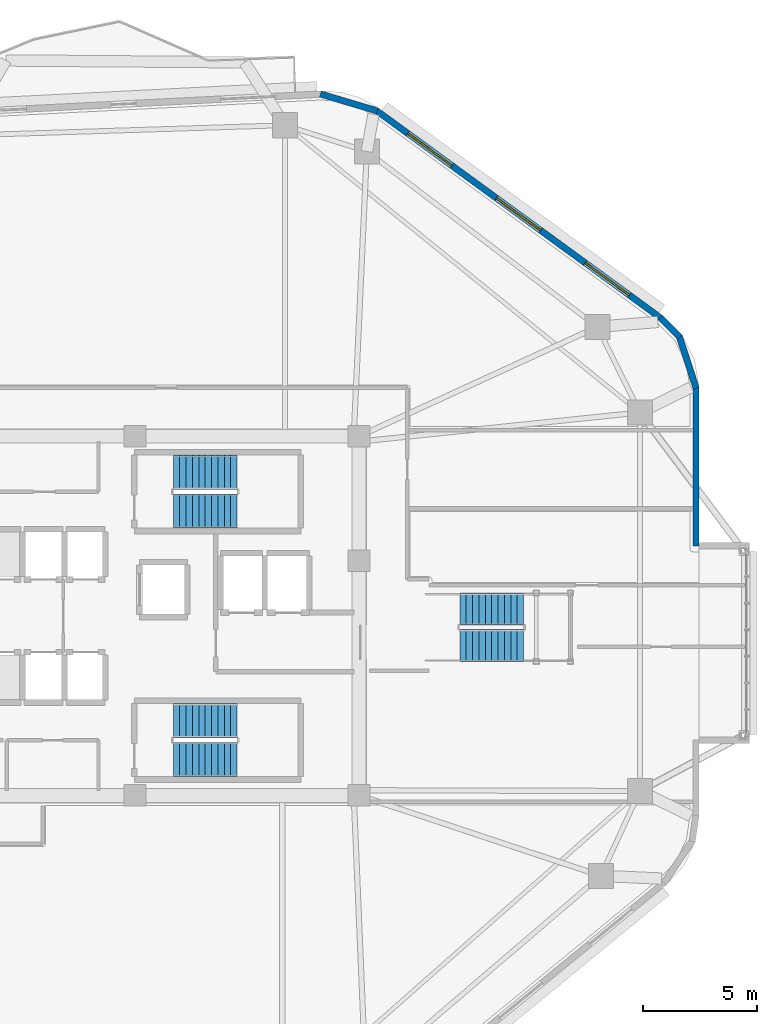
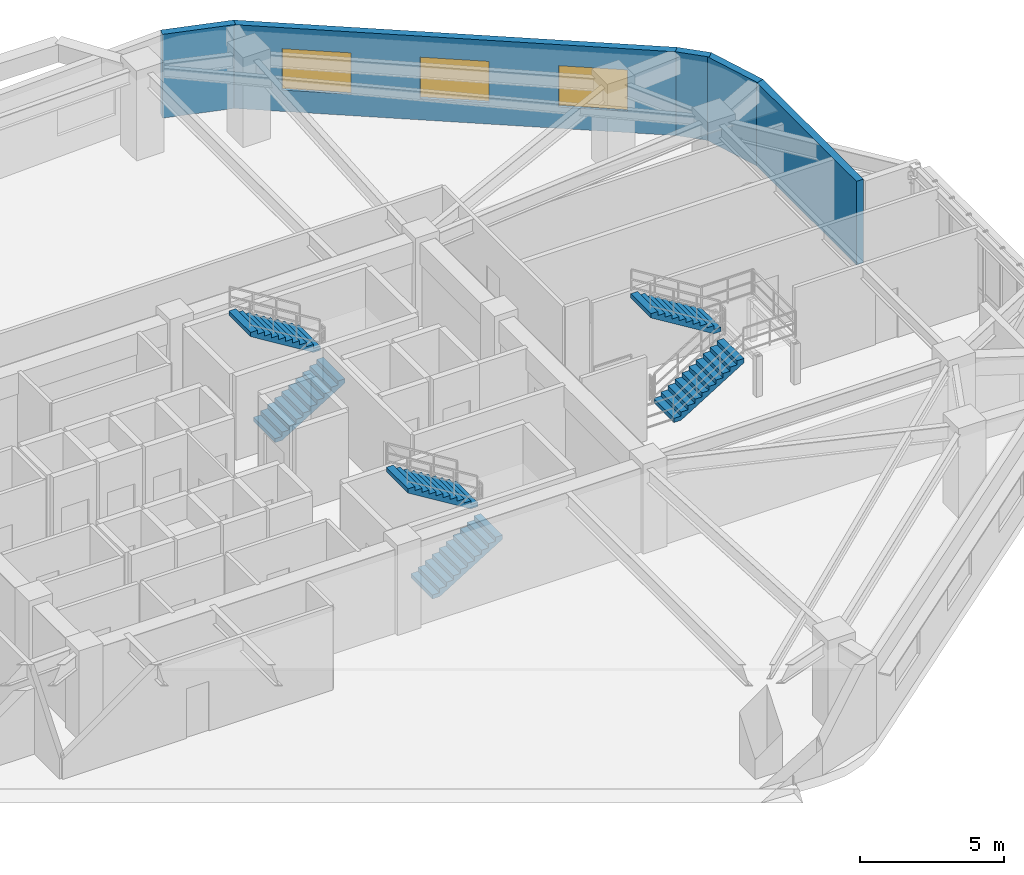
# One storey, part 12 of 16: 6 stair flights, 5 walls, 3 windows, 3 openings, 3 elements without a shape of their own.
"""IFC4 building model written with IfcOpenShell, lengths in metres."""

from ifc_helpers import new_model, si_unit, direction, frame, frame_2d, origin, place, context, subcontext, project, spatial, polyline, rectangle, outline, extrude, material, layer, layer_set, type_object, element, fill, aggregate, save


model = new_model("IFC4")

# Units and contexts
model_context = context("Model", 3, precision=1e-05, world=origin(), true_north=direction((0.0, 1.0)))
body_context = subcontext(model_context, "Body", "Model", "MODEL_VIEW")
ifc_project = project(units=[si_unit("LENGTHUNIT", "METRE"), si_unit("AREAUNIT", "SQUARE_METRE"), si_unit("VOLUMEUNIT", "CUBIC_METRE"), si_unit("PLANEANGLEUNIT", "RADIAN"), si_unit("MASSUNIT", "GRAM", prefix="KILO")], contexts=[model_context])

# Site, building, storey
site_placement = place(None, origin())
site = spatial("IfcSite", under=ifc_project, at=site_placement, CompositionType="ELEMENT")
building_placement = place(site_placement, origin())
building = spatial("IfcBuilding", under=site, at=building_placement, Name="Zulverin Broadcast Headquarters", CompositionType="ELEMENT")
storey_placement = place(building_placement, frame((0.0, 0.0, 125.0)))
storey = spatial("IfcBuildingStorey", under=building, at=storey_placement, Name="L31", CompositionType="ELEMENT", Elevation=125.0)

# Wall
ifc_material_1 = material(Name="Insulated pale-metal clad concrete spandrel C40/50", Category="concrete")
ifc_layer = layer(ifc_material_1, 0.280029296875, Name="Insulated pale-metal clad concrete spandrel C40/50", Category="concrete")
ifc_layer_set = layer_set([ifc_layer], Name="Insulated pale-metal clad concrete spandrel C40/50")
wall_type = type_object("IfcWallType", Name="WL-EXT-280", PredefinedType="STANDARD", material=ifc_layer_set)
wall_1_placement = place(storey_placement, frame((63.06005859375, 28.27001953125, 0.0), z_axis=(0.0, 0.0, 1.0), x_axis=(0.0, 1.0, 0.0)))
element("IfcWall", 1, at=wall_1_placement, inside=storey, type_object=wall_type, Name="L31 Pale-Metal Clad Flanking Spandrel Wall 3-2", PredefinedType="STANDARD", context=body_context, shape_type="SweptSolid", body=[
    extrude(rectangle(XDim=6.9599609375, YDim=0.280029296875, at=frame_2d((3.47998046875, 0.0))), origin(), (0.0, 0.0, 1.0), 3.5400390625),
])

# Wall, openings, windows
wall_2_placement = place(storey_placement, frame((61.516357421875, 38.26708984375, 0.0), z_axis=(0.0, 0.0, 1.0), x_axis=(-0.807812505785, 0.589439526582, 0.0)))
wall_2 = element("IfcWall", 2, at=wall_2_placement, inside=storey, type_object=wall_type, Name="L31 Pale-Metal Clad Spandrel Wall 4", PredefinedType="STANDARD", context=body_context, shape_type="SweptSolid", body=[
    extrude(rectangle(XDim=15.448486328125, YDim=0.280029296875, at=frame_2d((7.72412109375, 0.0))), origin(), (0.0, 0.0, 1.0), 3.5400390625),
])
opening_1_placement = place(wall_2_placement, frame((1.7080078125, 0.0, 0.89990234375)))
opening_1 = element("IfcOpeningElement", 3, at=opening_1_placement, cuts=wall_2, Name="Opening W-L31-E41", PredefinedType="OPENING", context=body_context, shape_type="SweptSolid", body=[
    extrude(rectangle(XDim=2.39990234375, YDim=1.75, at=frame_2d((1.199951171875, 0.875))), frame((0.0, 0.14990234375, 0.0), z_axis=(0.0, -1.0, 0.0), x_axis=(1.0, 0.0, 0.0)), (0.0, 0.0, 1.0), 0.300048828125),
])
opening_2_placement = place(wall_2_placement, frame((6.524169921875, 0.0, 0.89990234375)))
opening_2 = element("IfcOpeningElement", 4, at=opening_2_placement, cuts=wall_2, Name="Opening W-L31-E42", PredefinedType="OPENING", context=body_context, shape_type="SweptSolid", body=[
    extrude(rectangle(XDim=2.39990234375, YDim=1.75, at=frame_2d((1.199951171875, 0.875))), frame((0.0, 0.14990234375, 0.0), z_axis=(0.0, -1.0, 0.0), x_axis=(1.0, 0.0, 0.0)), (0.0, 0.0, 1.0), 0.300048828125),
])
opening_3_placement = place(wall_2_placement, frame((11.34033203125, 0.0, 0.89990234375)))
opening_3 = element("IfcOpeningElement", 5, at=opening_3_placement, cuts=wall_2, Name="Opening W-L31-E43", PredefinedType="OPENING", context=body_context, shape_type="SweptSolid", body=[
    extrude(rectangle(XDim=2.39990234375, YDim=1.75, at=frame_2d((1.199951171875, 0.875))), frame((0.0, 0.14990234375, 0.0), z_axis=(0.0, -1.0, 0.0), x_axis=(1.0, 0.0, 0.0)), (0.0, 0.0, 1.0), 0.300048828125),
])
ifc_material_2 = material(Name="Pale anodized aluminium frame with solar-control low-E double glazing", Category="aluminium")
window_type = type_object("IfcWindowType", Name="WIN-RIB-2400", PartitioningType="SINGLE_PANEL", PredefinedType="WINDOW", material=ifc_material_2)
window_1_placement = place(opening_1_placement, origin())
window_1 = element("IfcWindow", 6, at=window_1_placement, inside=storey, type_object=window_type, Name="L31 Ribbon Glazing Window 4 1", OverallHeight=1.75, OverallWidth=2.39990234375, PartitioningType="SINGLE_PANEL", PredefinedType="WINDOW", context=body_context, shape_type="SweptSolid", body=[
    extrude(rectangle(XDim=2.39990234375, YDim=1.75, at=frame_2d((1.199951171875, 0.875))), frame((0.0, 0.030029296875, 0.0), z_axis=(0.0, -1.0, 0.0), x_axis=(1.0, 0.0, 0.0)), (0.0, 0.0, 1.0), 0.06005859375),
])
fill(opening_1, window_1)
window_2_placement = place(opening_2_placement, origin())
window_2 = element("IfcWindow", 7, at=window_2_placement, inside=storey, type_object=window_type, Name="L31 Ribbon Glazing Window 4 2", OverallHeight=1.75, OverallWidth=2.39990234375, PartitioningType="SINGLE_PANEL", PredefinedType="WINDOW", context=body_context, shape_type="SweptSolid", body=[
    extrude(rectangle(XDim=2.39990234375, YDim=1.75, at=frame_2d((1.199951171875, 0.875))), frame((0.0, 0.030029296875, 0.0), z_axis=(0.0, -1.0, 0.0), x_axis=(1.0, 0.0, 0.0)), (0.0, 0.0, 1.0), 0.06005859375),
])
fill(opening_2, window_2)
window_3_placement = place(opening_3_placement, origin())
window_3 = element("IfcWindow", 8, at=window_3_placement, inside=storey, type_object=window_type, Name="L31 Ribbon Glazing Window 4 3", OverallHeight=1.75, OverallWidth=2.39990234375, PartitioningType="SINGLE_PANEL", PredefinedType="WINDOW", context=body_context, shape_type="SweptSolid", body=[
    extrude(rectangle(XDim=2.39990234375, YDim=1.75, at=frame_2d((1.199951171875, 0.875))), frame((0.0, 0.030029296875, 0.0), z_axis=(0.0, -1.0, 0.0), x_axis=(1.0, 0.0, 0.0)), (0.0, 0.0, 1.0), 0.06005859375),
])
fill(opening_3, window_3)

# Walls
wall_3_placement = place(storey_placement, frame((63.06689453125, 35.186767578125, 0.0), z_axis=(0.0, 0.0, 1.0), x_axis=(-0.308390504294, 0.951259847182, 0.0)))
element("IfcWall", 9, at=wall_3_placement, inside=storey, type_object=wall_type, Name="L31 Wind-Shaped Corner Spandrel Wall 3-1", PredefinedType="STANDARD", context=body_context, shape_type="SweptSolid", body=[
    extrude(rectangle(XDim=2.405029296875, YDim=0.280029296875, at=frame_2d((1.20263671875, 0.0))), origin(), (0.0, 0.0, 1.0), 3.5400390625),
])
wall_4_placement = place(storey_placement, frame((62.359130859375, 37.419189453125, 0.0), z_axis=(0.0, 0.0, 1.0), x_axis=(-0.706003104649, 0.708208737751, 0.0)))
element("IfcWall", 10, at=wall_4_placement, inside=storey, type_object=wall_type, Name="L31 Wind-Shaped Corner Spandrel Wall 3-2", PredefinedType="STANDARD", context=body_context, shape_type="SweptSolid", body=[
    extrude(rectangle(XDim=1.217529296875, YDim=0.280029296875, at=frame_2d((0.60888671875, 0.0))), origin(), (0.0, 0.0, 1.0), 3.5400390625),
])
wall_5_placement = place(storey_placement, frame((49.079345703125, 47.35205078125, 0.0), z_axis=(0.0, 0.0, 1.0), x_axis=(-0.958207501709, 0.286074087726, 0.0)))
element("IfcWall", 11, at=wall_5_placement, inside=storey, type_object=wall_type, Name="L31 Wind-Shaped Corner Spandrel Wall 4-1", PredefinedType="STANDARD", context=body_context, shape_type="SweptSolid", body=[
    extrude(rectangle(XDim=2.60302734375, YDim=0.280029296875, at=frame_2d((1.301513671875, 0.0))), origin(), (0.0, 0.0, 1.0), 3.5400390625),
])

# Stair, stair flights
ifc_material_3 = material(Name="Concrete C40/50", Category="concrete")
stair_type_1 = type_object("IfcStairType", Name="ST-CORE-1500", PredefinedType="HALF_TURN_STAIR", material=ifc_material_3)
stair_1_placement = place(storey_placement, origin())
stair_1 = element("IfcStair", 12, at=stair_1_placement, inside=storey, type_object=stair_type_1, Name="L31 Core Exit Stair ST-1", PredefinedType="HALF_TURN_STAIR")
stair_flight_type_1 = type_object("IfcStairFlightType", Name="SF-CORE-1500", PredefinedType="STRAIGHT", material=ifc_material_3)
stair_flight_1_placement = place(storey_placement, frame((40.1298828125, 29.800048828125, 0.0), z_axis=(0.0, 0.0, 1.0), x_axis=(1.0, 0.0, 0.0)))
stair_flight_1 = element("IfcStairFlight", 13, at=stair_flight_1_placement, type_object=stair_flight_type_1, Name="ST-1 flight 1", NumberOfRisers=11, NumberOfTreads=10, PredefinedType="STRAIGHT", RiserHeight=0.172727273, TreadLength=0.28, context=body_context, shape_type="SweptSolid", body=[
    extrude(outline(polyline([(0.0, 0.0), (0.0, 0.172607421875), (0.280029296875, 0.172607421875), (0.280029296875, 0.345458984375), (0.56005859375, 0.345458984375), (0.56005859375, 0.51806640625), (0.840087890625, 0.51806640625), (0.840087890625, 0.69091796875), (1.1201171875, 0.69091796875), (1.1201171875, 0.863525390625), (1.39990234375, 0.863525390625), (1.39990234375, 1.036376953125), (1.679931640625, 1.036376953125), (1.679931640625, 1.208984375), (1.9599609375, 1.208984375), (1.9599609375, 1.3818359375), (2.239990234375, 1.3818359375), (2.239990234375, 1.554443359375), (2.52001953125, 1.554443359375), (2.52001953125, 1.727294921875), (2.800048828125, 1.727294921875), (2.800048828125, 1.89990234375), (2.800048828125, 1.551025390625), (0.285400390625, 0.0), (0.0, 0.0)])), frame((0.0, 0.75, 0.0), z_axis=(0.0, -1.0, 0.0), x_axis=(1.0, 0.0, 0.0)), (0.0, 0.0, 1.0), 1.5),
])
stair_flight_2_placement = place(storey_placement, frame((42.929931640625, 31.5, 1.89990234375), z_axis=(0.0, 0.0, 1.0), x_axis=(-1.0, 0.0, 0.0)))
stair_flight_2 = element("IfcStairFlight", 14, at=stair_flight_2_placement, type_object=stair_flight_type_1, Name="ST-1 flight 2", NumberOfRisers=11, NumberOfTreads=10, PredefinedType="STRAIGHT", RiserHeight=0.172727273, TreadLength=0.28, context=body_context, shape_type="SweptSolid", body=[
    extrude(outline(polyline([(0.0, 0.0), (0.0, 0.172607421875), (0.280029296875, 0.172607421875), (0.280029296875, 0.345458984375), (0.56005859375, 0.345458984375), (0.56005859375, 0.51806640625), (0.840087890625, 0.51806640625), (0.840087890625, 0.69091796875), (1.1201171875, 0.69091796875), (1.1201171875, 0.863525390625), (1.39990234375, 0.863525390625), (1.39990234375, 1.036376953125), (1.679931640625, 1.036376953125), (1.679931640625, 1.208984375), (1.9599609375, 1.208984375), (1.9599609375, 1.3818359375), (2.239990234375, 1.3818359375), (2.239990234375, 1.554443359375), (2.52001953125, 1.554443359375), (2.52001953125, 1.727294921875), (2.800048828125, 1.727294921875), (2.800048828125, 1.89990234375), (2.800048828125, 1.551025390625), (0.285400390625, 0.0), (0.0, 0.0)])), frame((0.0, 0.75, 0.0), z_axis=(0.0, -1.0, 0.0), x_axis=(1.0, 0.0, 0.0)), (0.0, 0.0, 1.0), 1.5),
])
aggregate(stair_1, [stair_flight_1, stair_flight_2])

stair_2_placement = place(storey_placement, origin())
stair_2 = element("IfcStair", 15, at=stair_2_placement, inside=storey, type_object=stair_type_1, Name="L31 Core Exit Stair ST-2", PredefinedType="HALF_TURN_STAIR")
stair_flight_3_placement = place(storey_placement, frame((40.1298828125, 18.89990234375, 0.0), z_axis=(0.0, 0.0, 1.0), x_axis=(1.0, 0.0, 0.0)))
stair_flight_3 = element("IfcStairFlight", 16, at=stair_flight_3_placement, type_object=stair_flight_type_1, Name="ST-2 flight 1", NumberOfRisers=11, NumberOfTreads=10, PredefinedType="STRAIGHT", RiserHeight=0.172727273, TreadLength=0.28, context=body_context, shape_type="SweptSolid", body=[
    extrude(outline(polyline([(0.0, 0.0), (0.0, 0.172607421875), (0.280029296875, 0.172607421875), (0.280029296875, 0.345458984375), (0.56005859375, 0.345458984375), (0.56005859375, 0.51806640625), (0.840087890625, 0.51806640625), (0.840087890625, 0.69091796875), (1.1201171875, 0.69091796875), (1.1201171875, 0.863525390625), (1.39990234375, 0.863525390625), (1.39990234375, 1.036376953125), (1.679931640625, 1.036376953125), (1.679931640625, 1.208984375), (1.9599609375, 1.208984375), (1.9599609375, 1.3818359375), (2.239990234375, 1.3818359375), (2.239990234375, 1.554443359375), (2.52001953125, 1.554443359375), (2.52001953125, 1.727294921875), (2.800048828125, 1.727294921875), (2.800048828125, 1.89990234375), (2.800048828125, 1.551025390625), (0.285400390625, 0.0), (0.0, 0.0)])), frame((0.0, 0.75, 0.0), z_axis=(0.0, -1.0, 0.0), x_axis=(1.0, 0.0, 0.0)), (0.0, 0.0, 1.0), 1.5),
])
stair_flight_4_placement = place(storey_placement, frame((42.929931640625, 20.60009765625, 1.89990234375), z_axis=(0.0, 0.0, 1.0), x_axis=(-1.0, 0.0, 0.0)))
stair_flight_4 = element("IfcStairFlight", 17, at=stair_flight_4_placement, type_object=stair_flight_type_1, Name="ST-2 flight 2", NumberOfRisers=11, NumberOfTreads=10, PredefinedType="STRAIGHT", RiserHeight=0.172727273, TreadLength=0.28, context=body_context, shape_type="SweptSolid", body=[
    extrude(outline(polyline([(0.0, 0.0), (0.0, 0.172607421875), (0.280029296875, 0.172607421875), (0.280029296875, 0.345458984375), (0.56005859375, 0.345458984375), (0.56005859375, 0.51806640625), (0.840087890625, 0.51806640625), (0.840087890625, 0.69091796875), (1.1201171875, 0.69091796875), (1.1201171875, 0.863525390625), (1.39990234375, 0.863525390625), (1.39990234375, 1.036376953125), (1.679931640625, 1.036376953125), (1.679931640625, 1.208984375), (1.9599609375, 1.208984375), (1.9599609375, 1.3818359375), (2.239990234375, 1.3818359375), (2.239990234375, 1.554443359375), (2.52001953125, 1.554443359375), (2.52001953125, 1.727294921875), (2.800048828125, 1.727294921875), (2.800048828125, 1.89990234375), (2.800048828125, 1.551025390625), (0.285400390625, 0.0), (0.0, 0.0)])), frame((0.0, 0.75, 0.0), z_axis=(0.0, -1.0, 0.0), x_axis=(1.0, 0.0, 0.0)), (0.0, 0.0, 1.0), 1.5),
])
aggregate(stair_2, [stair_flight_3, stair_flight_4])

stair_type_2 = type_object("IfcStairType", Name="ST-SKY-1400", PredefinedType="HALF_TURN_STAIR", material=ifc_material_3)
stair_3_placement = place(storey_placement, origin())
stair_3 = element("IfcStair", 18, at=stair_3_placement, inside=storey, type_object=stair_type_2, Name="L31 Mid-Rise Sky Lobby Feature Stair ST-6", PredefinedType="HALF_TURN_STAIR")
stair_flight_type_2 = type_object("IfcStairFlightType", Name="SF-SKY-1400", PredefinedType="STRAIGHT", material=ifc_material_3)
stair_flight_5_placement = place(storey_placement, frame((52.699951171875, 23.89990234375, 0.0), z_axis=(0.0, 0.0, 1.0), x_axis=(1.0, 0.0, 0.0)))
stair_flight_5 = element("IfcStairFlight", 19, at=stair_flight_5_placement, type_object=stair_flight_type_2, Name="ST-6 flight 1", NumberOfRisers=11, NumberOfTreads=10, PredefinedType="STRAIGHT", RiserHeight=0.172727273, TreadLength=0.28, context=body_context, shape_type="SweptSolid", body=[
    extrude(outline(polyline([(0.0, 0.0), (0.0, 0.172607421875), (0.280029296875, 0.172607421875), (0.280029296875, 0.345458984375), (0.56005859375, 0.345458984375), (0.56005859375, 0.51806640625), (0.840087890625, 0.51806640625), (0.840087890625, 0.69091796875), (1.1201171875, 0.69091796875), (1.1201171875, 0.863525390625), (1.39990234375, 0.863525390625), (1.39990234375, 1.036376953125), (1.679931640625, 1.036376953125), (1.679931640625, 1.208984375), (1.9599609375, 1.208984375), (1.9599609375, 1.3818359375), (2.239990234375, 1.3818359375), (2.239990234375, 1.554443359375), (2.52001953125, 1.554443359375), (2.52001953125, 1.727294921875), (2.800048828125, 1.727294921875), (2.800048828125, 1.89990234375), (2.800048828125, 1.551025390625), (0.285400390625, 0.0), (0.0, 0.0)])), frame((0.0, 0.699951171875, 0.0), z_axis=(0.0, -1.0, 0.0), x_axis=(1.0, 0.0, 0.0)), (0.0, 0.0, 1.0), 1.39990234375),
])
stair_flight_6_placement = place(storey_placement, frame((55.5, 25.5, 1.89990234375), z_axis=(0.0, 0.0, 1.0), x_axis=(-1.0, 0.0, 0.0)))
stair_flight_6 = element("IfcStairFlight", 20, at=stair_flight_6_placement, type_object=stair_flight_type_2, Name="ST-6 flight 2", NumberOfRisers=11, NumberOfTreads=10, PredefinedType="STRAIGHT", RiserHeight=0.172727273, TreadLength=0.28, context=body_context, shape_type="SweptSolid", body=[
    extrude(outline(polyline([(0.0, 0.0), (0.0, 0.172607421875), (0.280029296875, 0.172607421875), (0.280029296875, 0.345458984375), (0.56005859375, 0.345458984375), (0.56005859375, 0.51806640625), (0.840087890625, 0.51806640625), (0.840087890625, 0.69091796875), (1.1201171875, 0.69091796875), (1.1201171875, 0.863525390625), (1.39990234375, 0.863525390625), (1.39990234375, 1.036376953125), (1.679931640625, 1.036376953125), (1.679931640625, 1.208984375), (1.9599609375, 1.208984375), (1.9599609375, 1.3818359375), (2.239990234375, 1.3818359375), (2.239990234375, 1.554443359375), (2.52001953125, 1.554443359375), (2.52001953125, 1.727294921875), (2.800048828125, 1.727294921875), (2.800048828125, 1.89990234375), (2.800048828125, 1.551025390625), (0.285400390625, 0.0), (0.0, 0.0)])), frame((0.0, 0.699951171875, 0.0), z_axis=(0.0, -1.0, 0.0), x_axis=(1.0, 0.0, 0.0)), (0.0, 0.0, 1.0), 1.39990234375),
])
aggregate(stair_3, [stair_flight_5, stair_flight_6])

save(model, "model.ifc")
